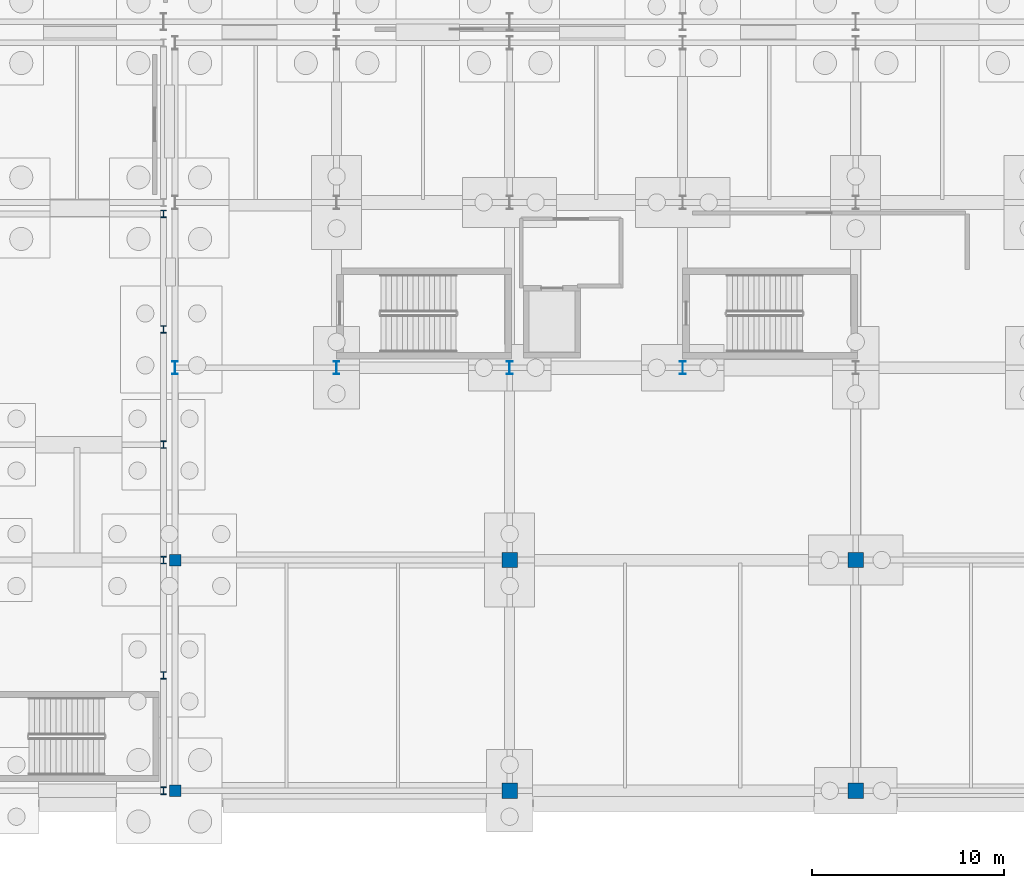
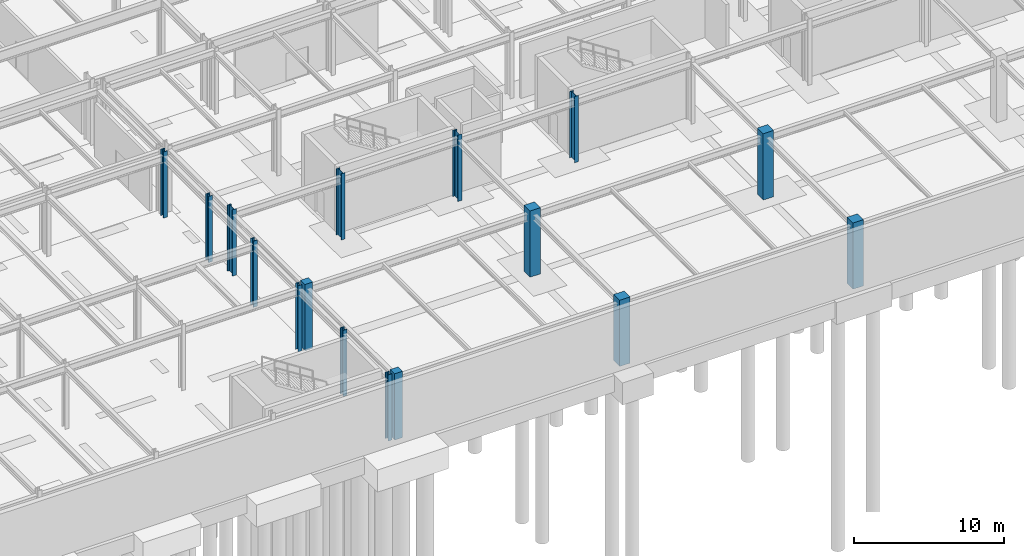
# One storey, part 17 of 65: 16 columns.
"""IFC4 building model written with IfcOpenShell, lengths in metres."""

import ifcopenshell
import ifcopenshell.guid

model = None  # the IFC model being written
_history = None  # IfcOwnerHistory: only IFC2X3 demands one
_inside = {}  # id of a spatial element -> (the spatial element, [elements in it])
_under = {}  # id of a project, library or spatial element -> (it, [spatial elements below it])
_declared = {}  # id of a project -> (the project, [libraries it declares])
_typed = {}  # id of a type object -> (the type object, [elements of that type])
_made_of = {}  # id of a material, layer set ... -> (it, [elements and type objects made of it])


def new_model(schema):
    """Start an empty IFC model of exactly this schema.

    Asked for "IFC4X3", IfcOpenShell would pick the latest addendum, in which some entities
    have other attributes; the version numbers below select the first issue.
    IFC2X3 requires an IfcOwnerHistory on every rooted entity: one is made here for all.
    """
    global model, _history
    if schema == "IFC4X3":
        model = ifcopenshell.file(schema_version=(4, 3, 0, 0))
    else:
        model = ifcopenshell.file(schema=schema)
    _inside.clear()
    _under.clear()
    _declared.clear()
    _typed.clear()
    _made_of.clear()
    _history = None
    if model.schema == "IFC2X3":
        org = make("IfcOrganization", Name="unknown")
        user = make(
            "IfcPersonAndOrganization",
            ThePerson=make("IfcPerson", FamilyName="unknown"),
            TheOrganization=org,
        )
        app = make(
            "IfcApplication",
            ApplicationDeveloper=org,
            Version="unknown",
            ApplicationFullName="unknown",
            ApplicationIdentifier="unknown",
        )
        _history = make(
            "IfcOwnerHistory",
            OwningUser=user,
            OwningApplication=app,
            ChangeAction="ADDED",
            CreationDate=0,
        )
    return model


def make(cls, **values):
    """One entity of the class cls with the attributes given. An attribute that is None is left unset."""
    return model.create_entity(
        cls, **{name: value for name, value in values.items() if value is not None}
    )


def rooted(cls, **values):
    """An entity with a GlobalId (a new one), such as an element, a storey or a relation."""
    return make(cls, GlobalId=ifcopenshell.guid.new(), OwnerHistory=_history, **values)


def si_unit(unit_type, name, prefix=None):
    """IfcSIUnit, for example si_unit("LENGTHUNIT", "METRE", prefix="MILLI")."""
    return make("IfcSIUnit", UnitType=unit_type, Prefix=prefix, Name=name)


def assignment(units):
    """IfcUnitAssignment: the units of a project."""
    return None if units is None else make("IfcUnitAssignment", Units=units)


def point(xyz):
    """IfcCartesianPoint."""
    return None if xyz is None else make("IfcCartesianPoint", Coordinates=xyz)


def direction(xyz):
    """IfcDirection."""
    return None if xyz is None else make("IfcDirection", DirectionRatios=xyz)


def frame(location, z_axis=None, x_axis=None):
    """IfcAxis2Placement3D, a coordinate frame: its origin and axes. An axis left out is left unset."""
    return make(
        "IfcAxis2Placement3D",
        Location=point(location),
        Axis=direction(z_axis),
        RefDirection=direction(x_axis),
    )


def frame_2d(location, x_axis=None):
    """IfcAxis2Placement2D, a coordinate frame in the plane: its origin and x axis."""
    return make(
        "IfcAxis2Placement2D", Location=point(location), RefDirection=direction(x_axis)
    )


def origin():
    """The frame at (0, 0, 0) with its axes left unset."""
    return frame((0.0, 0.0, 0.0))


def origin_2d():
    """The frame at (0, 0) in the plane with its x axis left unset."""
    return frame_2d((0.0, 0.0))


def place(relative_to, where):
    """IfcLocalPlacement: puts the frame where relative to a parent placement (None: the world)."""
    return make(
        "IfcLocalPlacement", PlacementRelTo=relative_to, RelativePlacement=where
    )


def context(
    kind, dimensions, precision=None, world=None, true_north=None, identifier=None
):
    """IfcGeometricRepresentationContext, for example the 3D "Model" context."""
    return make(
        "IfcGeometricRepresentationContext",
        ContextIdentifier=identifier,
        ContextType=kind,
        CoordinateSpaceDimension=dimensions,
        Precision=precision,
        WorldCoordinateSystem=world,
        TrueNorth=true_north,
    )


def subcontext(parent, identifier, kind, view, scale=None):
    """IfcGeometricRepresentationSubContext, for example "Body" below "Model"."""
    return make(
        "IfcGeometricRepresentationSubContext",
        ContextIdentifier=identifier,
        ContextType=kind,
        ParentContext=parent,
        TargetScale=scale,
        TargetView=view,
    )


def project(units=None, contexts=None):
    """IfcProject with its units and contexts."""
    return rooted(
        "IfcProject",
        Name="project",
        RepresentationContexts=contexts,
        UnitsInContext=assignment(units),
    )


def spatial(cls, under=None, at=None, **own):
    """A site, building, storey or space (cls), placed at a placement, below another one or the project."""
    s = rooted(cls, ObjectPlacement=at, **own)
    if under is not None:
        _under.setdefault(under.id(), (under, []))[1].append(s)
    return s


def profile(cls, at=None, kind="AREA", **sizes):
    """A parametric profile (cls). Its sizes go by their IFC names, for example OverallWidth=200.0."""
    return make(cls, ProfileType=kind, Position=at, **sizes)


def rectangle(**sizes):
    """IfcRectangleProfileDef."""
    return profile("IfcRectangleProfileDef", **sizes)


def i_section(**sizes):
    """IfcIShapeProfileDef."""
    return profile("IfcIShapeProfileDef", **sizes)


def extrude(swept, where, along, depth):
    """IfcExtrudedAreaSolid: the profile swept, set in the frame where, extruded along a direction by depth."""
    return make(
        "IfcExtrudedAreaSolid",
        SweptArea=swept,
        Position=where,
        ExtrudedDirection=direction(along),
        Depth=depth,
    )


def shape(context_of_items, identifier, shape_type, items):
    """IfcShapeRepresentation: the items that make up one representation, for example the "Body"."""
    return make(
        "IfcShapeRepresentation",
        ContextOfItems=context_of_items,
        RepresentationIdentifier=identifier,
        RepresentationType=shape_type,
        Items=items,
    )


def material(Name=None, Category=None):
    """IfcMaterial."""
    return make("IfcMaterial", Name=Name, Category=Category)


def material_profile(
    of_material, cross_section, Name=None, Category=None, Priority=None
):
    """IfcMaterialProfile: a cross section and its material."""
    return make(
        "IfcMaterialProfile",
        Name=Name,
        Material=of_material,
        Profile=cross_section,
        Priority=Priority,
        Category=Category,
    )


def profile_set(profiles, Name=None, composite=None):
    """IfcMaterialProfileSet."""
    return make(
        "IfcMaterialProfileSet",
        Name=Name,
        MaterialProfiles=profiles,
        CompositeProfile=composite,
    )


def made_of(thing, what):
    """Note that an element or type object is made of a material, layer set ...; save() writes the relation."""
    if what is not None:
        _made_of.setdefault(what.id(), (what, []))[1].append(thing)
    return thing


def type_object(cls, material=None, **own):
    """A type object (cls), such as IfcWallType, which elements share."""
    return made_of(rooted(cls, **own), material)


def element(
    cls,
    number,
    at=None,
    inside=None,
    cuts=None,
    type_object=None,
    material=None,
    context=None,
    identifier="Body",
    shape_type=None,
    held_by="IfcProductDefinitionShape",
    body=None,
    shapes=None,
    **own,
):
    """One element of the class cls, such as IfcWall. Its Tag is "e" and its number.

    at: its placement. inside: the storey or other place that contains it. cuts: it is an
    opening in that element (IfcRelVoidsElement). A single representation is given by context,
    identifier, shape_type and body (its items); several are given by shapes. held_by: the class
    of the entity that holds the representations. save() writes the other relations.
    """
    e = rooted(cls, Tag="e%d" % number, ObjectPlacement=at, **own)
    if body is not None:
        shapes = [shape(context, identifier, shape_type, body)]
    if shapes is not None:
        e.Representation = make(held_by, Representations=shapes)
    if inside is not None:
        _inside.setdefault(inside.id(), (inside, []))[1].append(e)
    if cuts is not None:
        rooted(
            "IfcRelVoidsElement", RelatingBuildingElement=cuts, RelatedOpeningElement=e
        )
    if type_object is not None:
        _typed.setdefault(type_object.id(), (type_object, []))[1].append(e)
    return made_of(e, material)


def aggregate(whole, parts):
    """IfcRelAggregates: a whole, such as a stair, and the parts it consists of."""
    return rooted("IfcRelAggregates", RelatingObject=whole, RelatedObjects=parts)


def save(model, path):
    """Write the relations noted so far, then the file.

    IfcRelAggregates (storeys below a building ...), IfcRelContainedInSpatialStructure (elements
    in a storey), IfcRelDefinesByType, IfcRelAssociatesMaterial and IfcRelDeclares: one each for
    every whole, place, type object, material and project.
    """
    for whole, parts in _under.values():
        aggregate(whole, parts)
    for where, things in _inside.values():
        rooted(
            "IfcRelContainedInSpatialStructure",
            RelatedElements=things,
            RelatingStructure=where,
        )
    for kind, things in _typed.values():
        rooted("IfcRelDefinesByType", RelatedObjects=things, RelatingType=kind)
    for what, things in _made_of.values():
        rooted("IfcRelAssociatesMaterial", RelatedObjects=things, RelatingMaterial=what)
    for by, libraries in _declared.values():
        rooted("IfcRelDeclares", RelatingContext=by, RelatedDefinitions=libraries)
    model.write(path)


model = new_model("IFC4")

# Units and contexts
model_context = context("Model", 3, precision=1e-05, world=origin(), true_north=direction((0.0, 1.0)))
body_context = subcontext(model_context, "Body", "Model", "MODEL_VIEW")
ifc_project = project(units=[si_unit("LENGTHUNIT", "METRE"), si_unit("AREAUNIT", "SQUARE_METRE"), si_unit("VOLUMEUNIT", "CUBIC_METRE"), si_unit("PLANEANGLEUNIT", "RADIAN"), si_unit("MASSUNIT", "GRAM", prefix="KILO")], contexts=[model_context])

# Site, building, storey
site_placement = place(None, origin())
site = spatial("IfcSite", under=ifc_project, at=site_placement, CompositionType="ELEMENT")
building_placement = place(site_placement, origin())
building = spatial("IfcBuilding", under=site, at=building_placement, Name="Kaldris Quays Convention Centre", CompositionType="ELEMENT")
storey_placement = place(building_placement, frame((0.0, 0.0, -5.39990234375)))
storey = spatial("IfcBuildingStorey", under=building, at=storey_placement, Name="B1", CompositionType="ELEMENT", Elevation=-5.39990234375)

# Columns
ifc_material_1 = material(Name="Steel S460ML", Category="steel")
ifc_material_profile_1 = material_profile(ifc_material_1, i_section(OverallWidth=0.30810546875, OverallDepth=0.39501953125, WebThickness=0.02099609375, FlangeThickness=0.0400390625, FilletRadius=0.027099609375, at=origin_2d()), Name="HEM 360")
ifc_profile_set_1 = profile_set([ifc_material_profile_1], Name="Steel S460ML")
column_type_1 = type_object("IfcColumnType", Name="STRUCTURAL COLUMN CL02", PredefinedType="COLUMN", material=ifc_profile_set_1)
for number, where, z_axis, x_axis, name in (
    (1, (83.0, 16.0, 0.0), (0.0, 0.0, 1.0), (1.0, 0.0, 0.0), "B1 V3 Column CL02 (83.00, 16.00)"),
    (2, (83.0, 22.0, 0.0), (0.0, 0.0, 1.0), (1.0, 0.0, 0.0), "B1 V3 Column CL02 (83.00, 22.00)"),
    (3, (83.0, 28.0, 0.0), (0.0, 0.0, 1.0), (1.0, 0.0, 0.0), "B1 V3 Column CL02 (83.00, 28.00)"),
    (4, (83.0, 34.0, 0.0), (0.0, 0.0, 1.0), (1.0, 0.0, 0.0), "B1 V3 Column CL02 (83.00, 34.00)"),
    (5, (83.0, 40.0, 0.0), (0.0, 0.0, 1.0), (1.0, 0.0, 0.0), "B1 V3 Column CL02 (83.00, 40.00)"),
    (6, (83.0, 46.0, 0.0), (0.0, 0.0, 1.0), (1.0, 0.0, 0.0), "B1 V3 Column CL02 (83.00, 46.00)"),
):
    element("IfcColumn", number, at=place(storey_placement, frame(where, z_axis=z_axis, x_axis=x_axis)), inside=storey, type_object=column_type_1, Name=name, PredefinedType="COLUMN", context=body_context, shape_type="SweptSolid", body=[
        extrude(i_section(OverallWidth=0.30810546875, OverallDepth=0.39501953125, WebThickness=0.02099609375, FlangeThickness=0.0400390625, FilletRadius=0.027099609375, at=origin_2d()), origin(), (0.0, 0.0, 1.0), 5.39990234375),
    ])
ifc_material_2 = material(Name="Steel S355J2", Category="steel")
ifc_material_profile_2 = material_profile(ifc_material_2, i_section(OverallWidth=0.300048828125, OverallDepth=0.699951171875, WebThickness=0.01708984375, FlangeThickness=0.031982421875, FilletRadius=0.027099609375, at=origin_2d()), Name="HEB 700")
ifc_profile_set_2 = profile_set([ifc_material_profile_2], Name="Steel S355J2")
column_type_2 = type_object("IfcColumnType", Name="STRUCTURAL COLUMN CL05", PredefinedType="COLUMN", material=ifc_profile_set_2)
for number, where, z_axis, x_axis, name in (
    (7, (83.60009765625, 38.0, 0.0), (0.0, 0.0, 1.0), (1.0, 0.0, 0.0), "B1 V4 Column CL05 (83.60, 38.00)"),
    (8, (92.0, 38.0, 0.0), (0.0, 0.0, 1.0), (1.0, 0.0, 0.0), "B1 V4 Column CL05 (92.00, 38.00)"),
    (9, (101.0, 38.0, 0.0), (0.0, 0.0, 1.0), (1.0, 0.0, 0.0), "B1 V4 Column CL05 (101.00, 38.00)"),
    (10, (110.0, 38.0, 0.0), (0.0, 0.0, 1.0), (1.0, 0.0, 0.0), "B1 V4 Column CL05 (110.00, 38.00)"),
):
    element("IfcColumn", number, at=place(storey_placement, frame(where, z_axis=z_axis, x_axis=x_axis)), inside=storey, type_object=column_type_2, Name=name, PredefinedType="COLUMN", context=body_context, shape_type="SweptSolid", body=[
        extrude(i_section(OverallWidth=0.300048828125, OverallDepth=0.699951171875, WebThickness=0.01708984375, FlangeThickness=0.031982421875, FilletRadius=0.027099609375, at=origin_2d()), origin(), (0.0, 0.0, 1.0), 5.39990234375),
    ])
ifc_material_3 = material(Name="Concrete C40/50", Category="concrete")
ifc_material_profile_3 = material_profile(ifc_material_3, rectangle(XDim=0.800048828125, YDim=0.800048828125, at=origin_2d()), Name="RC 800x800")
ifc_profile_set_3 = profile_set([ifc_material_profile_3], Name="Concrete C40/50")
column_type_3 = type_object("IfcColumnType", Name="STRUCTURAL COLUMN CL14", PredefinedType="COLUMN", material=ifc_profile_set_3)
for number, where, z_axis, x_axis, name in (
    (11, (101.0, 16.0, 0.0), (0.0, 0.0, 1.0), (1.0, 0.0, 0.0), "B1 V4 Column CL14 (101.00, 16.00)"),
    (12, (101.0, 28.0, 0.0), (0.0, 0.0, 1.0), (1.0, 0.0, 0.0), "B1 V4 Column CL14 (101.00, 28.00)"),
    (13, (119.0, 16.0, 0.0), (0.0, 0.0, 1.0), (1.0, 0.0, 0.0), "B1 V4 Column CL14 (119.00, 16.00)"),
    (14, (119.0, 28.0, 0.0), (0.0, 0.0, 1.0), (1.0, 0.0, 0.0), "B1 V4 Column CL14 (119.00, 28.00)"),
):
    element("IfcColumn", number, at=place(storey_placement, frame(where, z_axis=z_axis, x_axis=x_axis)), inside=storey, type_object=column_type_3, Name=name, PredefinedType="COLUMN", context=body_context, shape_type="SweptSolid", body=[
        extrude(rectangle(XDim=0.800048828125, YDim=0.800048828125, at=origin_2d()), origin(), (0.0, 0.0, 1.0), 5.39990234375),
    ])
ifc_material_profile_4 = material_profile(ifc_material_3, rectangle(XDim=0.60009765625, YDim=0.60009765625, at=origin_2d()), Name="RC 600x600")
ifc_profile_set_4 = profile_set([ifc_material_profile_4], Name="Concrete C40/50")
column_type_4 = type_object("IfcColumnType", Name="STRUCTURAL COLUMN CL15", PredefinedType="COLUMN", material=ifc_profile_set_4)
for number, where, z_axis, x_axis, name in (
    (15, (83.60009765625, 16.0, 0.0), (0.0, 0.0, 1.0), (1.0, 0.0, 0.0), "B1 V4 Column CL15 (83.60, 16.00)"),
    (16, (83.60009765625, 28.0, 0.0), (0.0, 0.0, 1.0), (1.0, 0.0, 0.0), "B1 V4 Column CL15 (83.60, 28.00)"),
):
    element("IfcColumn", number, at=place(storey_placement, frame(where, z_axis=z_axis, x_axis=x_axis)), inside=storey, type_object=column_type_4, Name=name, PredefinedType="COLUMN", context=body_context, shape_type="SweptSolid", body=[
        extrude(rectangle(XDim=0.60009765625, YDim=0.60009765625, at=origin_2d()), origin(), (0.0, 0.0, 1.0), 5.39990234375),
    ])

save(model, "model.ifc")
